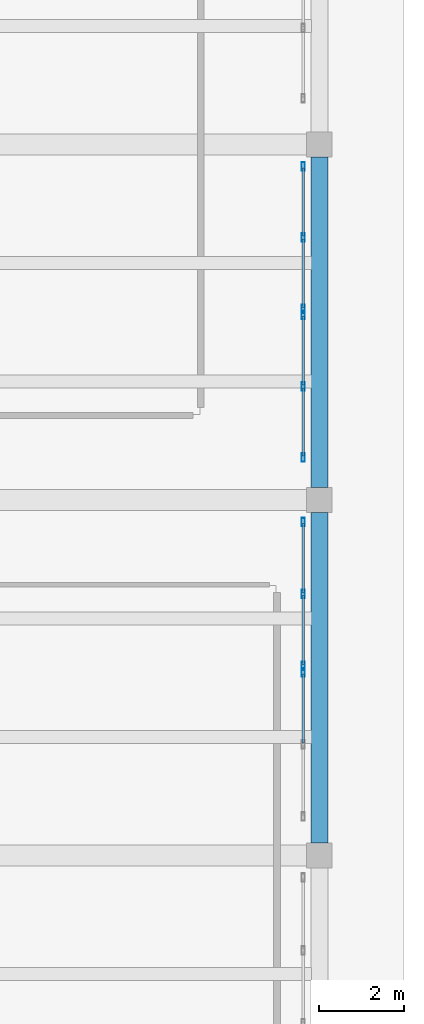
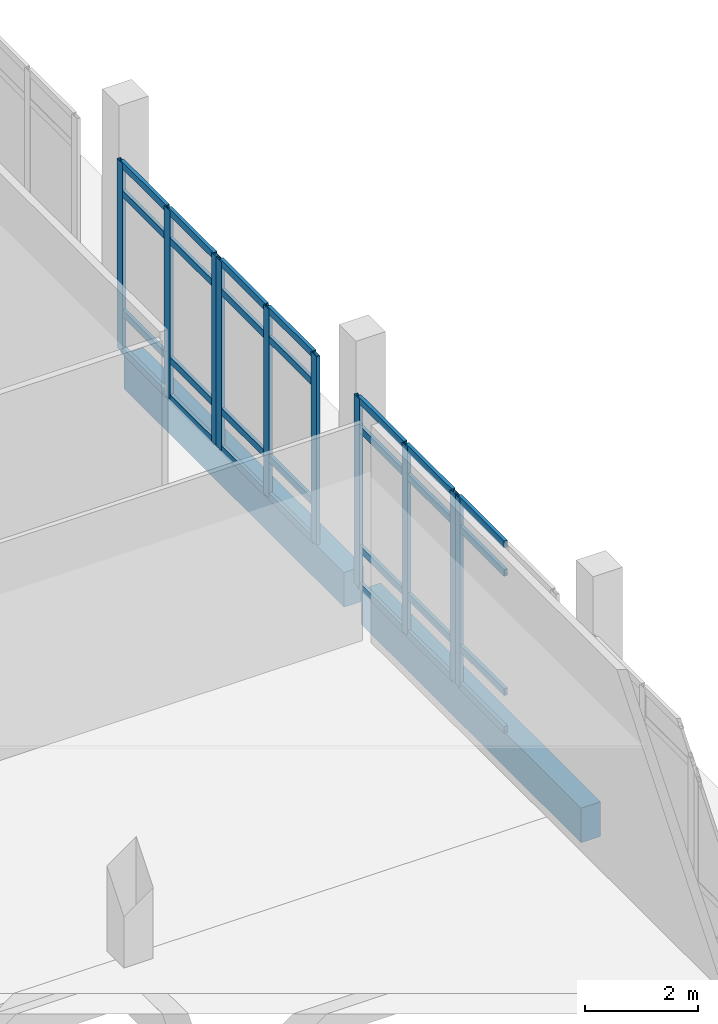
# One storey, part 27 of 64: 38 members, 2 beams, 4 elements without a shape of their own.
"""IFC4 building model written with IfcOpenShell, lengths in metres."""

import ifcopenshell
import ifcopenshell.guid

model = None  # the IFC model being written
_history = None  # IfcOwnerHistory: only IFC2X3 demands one
_inside = {}  # id of a spatial element -> (the spatial element, [elements in it])
_under = {}  # id of a project, library or spatial element -> (it, [spatial elements below it])
_declared = {}  # id of a project -> (the project, [libraries it declares])
_typed = {}  # id of a type object -> (the type object, [elements of that type])
_made_of = {}  # id of a material, layer set ... -> (it, [elements and type objects made of it])


def new_model(schema):
    """Start an empty IFC model of exactly this schema.

    Asked for "IFC4X3", IfcOpenShell would pick the latest addendum, in which some entities
    have other attributes; the version numbers below select the first issue.
    IFC2X3 requires an IfcOwnerHistory on every rooted entity: one is made here for all.
    """
    global model, _history
    if schema == "IFC4X3":
        model = ifcopenshell.file(schema_version=(4, 3, 0, 0))
    else:
        model = ifcopenshell.file(schema=schema)
    _inside.clear()
    _under.clear()
    _declared.clear()
    _typed.clear()
    _made_of.clear()
    _history = None
    if model.schema == "IFC2X3":
        org = make("IfcOrganization", Name="unknown")
        user = make(
            "IfcPersonAndOrganization",
            ThePerson=make("IfcPerson", FamilyName="unknown"),
            TheOrganization=org,
        )
        app = make(
            "IfcApplication",
            ApplicationDeveloper=org,
            Version="unknown",
            ApplicationFullName="unknown",
            ApplicationIdentifier="unknown",
        )
        _history = make(
            "IfcOwnerHistory",
            OwningUser=user,
            OwningApplication=app,
            ChangeAction="ADDED",
            CreationDate=0,
        )
    return model


def make(cls, **values):
    """One entity of the class cls with the attributes given. An attribute that is None is left unset."""
    return model.create_entity(
        cls, **{name: value for name, value in values.items() if value is not None}
    )


def rooted(cls, **values):
    """An entity with a GlobalId (a new one), such as an element, a storey or a relation."""
    return make(cls, GlobalId=ifcopenshell.guid.new(), OwnerHistory=_history, **values)


def si_unit(unit_type, name, prefix=None):
    """IfcSIUnit, for example si_unit("LENGTHUNIT", "METRE", prefix="MILLI")."""
    return make("IfcSIUnit", UnitType=unit_type, Prefix=prefix, Name=name)


def derived_unit(unit_type, elements):
    """IfcDerivedUnit: a product of units, each with its exponent."""
    return make(
        "IfcDerivedUnit",
        Elements=[
            make("IfcDerivedUnitElement", Unit=unit, Exponent=power)
            for unit, power in elements
        ],
        UnitType=unit_type,
    )


def assignment(units):
    """IfcUnitAssignment: the units of a project."""
    return None if units is None else make("IfcUnitAssignment", Units=units)


def point(xyz):
    """IfcCartesianPoint."""
    return None if xyz is None else make("IfcCartesianPoint", Coordinates=xyz)


def direction(xyz):
    """IfcDirection."""
    return None if xyz is None else make("IfcDirection", DirectionRatios=xyz)


def frame(location, z_axis=None, x_axis=None):
    """IfcAxis2Placement3D, a coordinate frame: its origin and axes. An axis left out is left unset."""
    return make(
        "IfcAxis2Placement3D",
        Location=point(location),
        Axis=direction(z_axis),
        RefDirection=direction(x_axis),
    )


def frame_2d(location, x_axis=None):
    """IfcAxis2Placement2D, a coordinate frame in the plane: its origin and x axis."""
    return make(
        "IfcAxis2Placement2D", Location=point(location), RefDirection=direction(x_axis)
    )


def origin():
    """The frame at (0, 0, 0) with its axes left unset."""
    return frame((0.0, 0.0, 0.0))


def origin_2d():
    """The frame at (0, 0) in the plane with its x axis left unset."""
    return frame_2d((0.0, 0.0))


def place(relative_to, where):
    """IfcLocalPlacement: puts the frame where relative to a parent placement (None: the world)."""
    return make(
        "IfcLocalPlacement", PlacementRelTo=relative_to, RelativePlacement=where
    )


def context(
    kind, dimensions, precision=None, world=None, true_north=None, identifier=None
):
    """IfcGeometricRepresentationContext, for example the 3D "Model" context."""
    return make(
        "IfcGeometricRepresentationContext",
        ContextIdentifier=identifier,
        ContextType=kind,
        CoordinateSpaceDimension=dimensions,
        Precision=precision,
        WorldCoordinateSystem=world,
        TrueNorth=true_north,
    )


def subcontext(parent, identifier, kind, view, scale=None):
    """IfcGeometricRepresentationSubContext, for example "Body" below "Model"."""
    return make(
        "IfcGeometricRepresentationSubContext",
        ContextIdentifier=identifier,
        ContextType=kind,
        ParentContext=parent,
        TargetScale=scale,
        TargetView=view,
    )


def project(units=None, contexts=None):
    """IfcProject with its units and contexts."""
    return rooted(
        "IfcProject",
        Name="project",
        RepresentationContexts=contexts,
        UnitsInContext=assignment(units),
    )


def spatial(cls, under=None, at=None, **own):
    """A site, building, storey or space (cls), placed at a placement, below another one or the project."""
    s = rooted(cls, ObjectPlacement=at, **own)
    if under is not None:
        _under.setdefault(under.id(), (under, []))[1].append(s)
    return s


def profile(cls, at=None, kind="AREA", **sizes):
    """A parametric profile (cls). Its sizes go by their IFC names, for example OverallWidth=200.0."""
    return make(cls, ProfileType=kind, Position=at, **sizes)


def rectangle(**sizes):
    """IfcRectangleProfileDef."""
    return profile("IfcRectangleProfileDef", **sizes)


def hollow_rectangle(**sizes):
    """IfcRectangleHollowProfileDef."""
    return profile("IfcRectangleHollowProfileDef", **sizes)


def extrude(swept, where, along, depth):
    """IfcExtrudedAreaSolid: the profile swept, set in the frame where, extruded along a direction by depth."""
    return make(
        "IfcExtrudedAreaSolid",
        SweptArea=swept,
        Position=where,
        ExtrudedDirection=direction(along),
        Depth=depth,
    )


def shape(context_of_items, identifier, shape_type, items):
    """IfcShapeRepresentation: the items that make up one representation, for example the "Body"."""
    return make(
        "IfcShapeRepresentation",
        ContextOfItems=context_of_items,
        RepresentationIdentifier=identifier,
        RepresentationType=shape_type,
        Items=items,
    )


def material(Name=None, Category=None):
    """IfcMaterial."""
    return make("IfcMaterial", Name=Name, Category=Category)


def layer(
    of_material, thickness, ventilated=None, Name=None, Category=None, Priority=None
):
    """IfcMaterialLayer: one layer of a wall or slab, of a material (None: an air gap)."""
    return make(
        "IfcMaterialLayer",
        Material=of_material,
        LayerThickness=thickness,
        IsVentilated=ventilated,
        Name=Name,
        Category=Category,
        Priority=Priority,
    )


def layer_set(layers, Name=None):
    """IfcMaterialLayerSet."""
    return make("IfcMaterialLayerSet", MaterialLayers=layers, LayerSetName=Name)


def material_profile(
    of_material, cross_section, Name=None, Category=None, Priority=None
):
    """IfcMaterialProfile: a cross section and its material."""
    return make(
        "IfcMaterialProfile",
        Name=Name,
        Material=of_material,
        Profile=cross_section,
        Priority=Priority,
        Category=Category,
    )


def profile_set(profiles, Name=None, composite=None):
    """IfcMaterialProfileSet."""
    return make(
        "IfcMaterialProfileSet",
        Name=Name,
        MaterialProfiles=profiles,
        CompositeProfile=composite,
    )


def made_of(thing, what):
    """Note that an element or type object is made of a material, layer set ...; save() writes the relation."""
    if what is not None:
        _made_of.setdefault(what.id(), (what, []))[1].append(thing)
    return thing


def type_object(cls, material=None, **own):
    """A type object (cls), such as IfcWallType, which elements share."""
    return made_of(rooted(cls, **own), material)


def element(
    cls,
    number,
    at=None,
    inside=None,
    cuts=None,
    type_object=None,
    material=None,
    context=None,
    identifier="Body",
    shape_type=None,
    held_by="IfcProductDefinitionShape",
    body=None,
    shapes=None,
    **own,
):
    """One element of the class cls, such as IfcWall. Its Tag is "e" and its number.

    at: its placement. inside: the storey or other place that contains it. cuts: it is an
    opening in that element (IfcRelVoidsElement). A single representation is given by context,
    identifier, shape_type and body (its items); several are given by shapes. held_by: the class
    of the entity that holds the representations. save() writes the other relations.
    """
    e = rooted(cls, Tag="e%d" % number, ObjectPlacement=at, **own)
    if body is not None:
        shapes = [shape(context, identifier, shape_type, body)]
    if shapes is not None:
        e.Representation = make(held_by, Representations=shapes)
    if inside is not None:
        _inside.setdefault(inside.id(), (inside, []))[1].append(e)
    if cuts is not None:
        rooted(
            "IfcRelVoidsElement", RelatingBuildingElement=cuts, RelatedOpeningElement=e
        )
    if type_object is not None:
        _typed.setdefault(type_object.id(), (type_object, []))[1].append(e)
    return made_of(e, material)


def aggregate(whole, parts):
    """IfcRelAggregates: a whole, such as a stair, and the parts it consists of."""
    return rooted("IfcRelAggregates", RelatingObject=whole, RelatedObjects=parts)


def save(model, path):
    """Write the relations noted so far, then the file.

    IfcRelAggregates (storeys below a building ...), IfcRelContainedInSpatialStructure (elements
    in a storey), IfcRelDefinesByType, IfcRelAssociatesMaterial and IfcRelDeclares: one each for
    every whole, place, type object, material and project.
    """
    for whole, parts in _under.values():
        aggregate(whole, parts)
    for where, things in _inside.values():
        rooted(
            "IfcRelContainedInSpatialStructure",
            RelatedElements=things,
            RelatingStructure=where,
        )
    for kind, things in _typed.values():
        rooted("IfcRelDefinesByType", RelatedObjects=things, RelatingType=kind)
    for what, things in _made_of.values():
        rooted("IfcRelAssociatesMaterial", RelatedObjects=things, RelatingMaterial=what)
    for by, libraries in _declared.values():
        rooted("IfcRelDeclares", RelatingContext=by, RelatedDefinitions=libraries)
    model.write(path)


model = new_model("IFC4")

# Units and contexts
model_context = context("Model", 3, precision=1e-05, world=origin(), true_north=direction((0.0, 1.0)))
body_context = subcontext(model_context, "Body", "Model", "MODEL_VIEW")
ifc_project = project(units=[si_unit("LENGTHUNIT", "METRE"), si_unit("AREAUNIT", "SQUARE_METRE"), si_unit("VOLUMEUNIT", "CUBIC_METRE"), si_unit("PLANEANGLEUNIT", "RADIAN"), si_unit("MASSUNIT", "GRAM", prefix="KILO"), derived_unit("THERMALTRANSMITTANCEUNIT", [(si_unit("POWERUNIT", "WATT"), 1), (si_unit("LENGTHUNIT", "METRE"), -2), (si_unit("THERMODYNAMICTEMPERATUREUNIT", "KELVIN"), -1)])], contexts=[model_context])

# Site, building, storey
site_placement = place(None, origin())
site = spatial("IfcSite", under=ifc_project, at=site_placement, CompositionType="ELEMENT")
building_placement = place(site_placement, origin())
building = spatial("IfcBuilding", under=site, at=building_placement, Name="Elbkamm Science Centre", CompositionType="ELEMENT")
storey_placement = place(building_placement, origin())
storey = spatial("IfcBuildingStorey", under=building, at=storey_placement, Name="L00", CompositionType="ELEMENT", Elevation=0.0)

# Beams
ifc_material_1 = material(Name="Concrete C40/50", Category="concrete")
ifc_material_profile_1 = material_profile(ifc_material_1, rectangle(XDim=0.39990234375, YDim=0.75, at=origin_2d()), Name="RC 400x750")
ifc_profile_set_1 = profile_set([ifc_material_profile_1], Name="Concrete C40/50")
beam_type = type_object("IfcBeamType", Name="BM-RC-400x750", PredefinedType="BEAM", material=ifc_profile_set_1)
for number, where, z_axis, x_axis, name in (
    (1, (160.800048828125, 75.89990234375, -0.675048828125), (0.0, 1.0, 0.0), (-1.0, 0.0, 0.0), "L00 Primary Y-Girder 084"),
    (2, (160.800048828125, 84.300048828125, -0.675048828125), (0.0, 1.0, 0.0), (-1.0, 0.0, 0.0), "L00 Primary Y-Girder 085"),
):
    element("IfcBeam", number, at=place(storey_placement, frame(where, z_axis=z_axis, x_axis=x_axis)), inside=storey, type_object=beam_type, Name=name, PredefinedType="BEAM", context=body_context, shape_type="SweptSolid", body=[
        extrude(rectangle(XDim=0.39990234375, YDim=0.75, at=origin_2d()), origin(), (0.0, 0.0, 1.0), 7.800048828125),
    ])

# Curtain wall, members
ifc_material_2 = material(Name="Powder-coated aluminium and triple low-E glazing", Category="aluminium")
ifc_layer_1 = layer(ifc_material_2, 0.159912109375)
ifc_layer_set_1 = layer_set([ifc_layer_1], Name="Powder-coated aluminium and triple low-E glazing")
curtain_wall_type_1 = type_object("IfcCurtainWallType", Name="CW-UNIT-3440x4080", PredefinedType="USERDEFINED", material=ifc_layer_set_1)
curtain_wall_1_placement = place(storey_placement, origin())
curtain_wall_1 = element("IfcCurtainWall", 3, at=curtain_wall_1_placement, inside=storey, type_object=curtain_wall_type_1, Name="L00 Unitised Curtain Wall 118", ObjectType="UNITISED CURTAIN WALL", PredefinedType="USERDEFINED")
ifc_material_3 = material(Name="Powder-coated aluminium EN AW-6060", Category="aluminium")
ifc_material_profile_2 = material_profile(ifc_material_3, hollow_rectangle(XDim=0.070068359375, YDim=0.199951171875, WallThickness=0.00439453125, at=origin_2d()), Name="ALU M70x200")
ifc_profile_set_2 = profile_set([ifc_material_profile_2], Name="Powder-coated aluminium EN AW-6060")
member_type_1 = type_object("IfcMemberType", Name="CW-MUL-70x200", PredefinedType="MULLION", material=ifc_profile_set_2)
member_1_placement = place(storey_placement, frame((160.419921875, 91.878662109375, 0.0), z_axis=(0.0, 0.0, 1.0), x_axis=(1.0, 0.0, 0.0)))
member_1 = element("IfcMember", 4, at=member_1_placement, type_object=member_type_1, Name="CW-059 mullion 1", PredefinedType="MULLION", context=body_context, shape_type="SweptSolid", body=[
    extrude(hollow_rectangle(XDim=0.070068359375, YDim=0.199951171875, WallThickness=0.00439453125, at=origin_2d()), origin(), (0.0, 0.0, 1.0), 4.080078125),
])
member_2_placement = place(storey_placement, frame((160.419921875, 90.197265625, 0.0), z_axis=(0.0, 0.0, 1.0), x_axis=(1.0, 0.0, 0.0)))
member_2 = element("IfcMember", 5, at=member_2_placement, type_object=member_type_1, Name="CW-059 mullion 2", PredefinedType="MULLION", context=body_context, shape_type="SweptSolid", body=[
    extrude(hollow_rectangle(XDim=0.070068359375, YDim=0.199951171875, WallThickness=0.00439453125, at=origin_2d()), origin(), (0.0, 0.0, 1.0), 4.080078125),
])
member_3_placement = place(storey_placement, frame((160.419921875, 88.515869140625, 0.0), z_axis=(0.0, 0.0, 1.0), x_axis=(1.0, 0.0, 0.0)))
member_3 = element("IfcMember", 6, at=member_3_placement, type_object=member_type_1, Name="CW-059 mullion 3", PredefinedType="MULLION", context=body_context, shape_type="SweptSolid", body=[
    extrude(hollow_rectangle(XDim=0.070068359375, YDim=0.199951171875, WallThickness=0.00439453125, at=origin_2d()), origin(), (0.0, 0.0, 1.0), 4.080078125),
])

curtain_wall_2_placement = place(storey_placement, origin())
curtain_wall_2 = element("IfcCurtainWall", 7, at=curtain_wall_2_placement, inside=storey, type_object=curtain_wall_type_1, Name="L00 Unitised Curtain Wall 119", ObjectType="UNITISED CURTAIN WALL", PredefinedType="USERDEFINED")
member_4_placement = place(storey_placement, frame((160.419921875, 88.365966796875, 0.0), z_axis=(0.0, 0.0, 1.0), x_axis=(1.0, 0.0, 0.0)))
member_4 = element("IfcMember", 8, at=member_4_placement, type_object=member_type_1, Name="CW-059 mullion 1", PredefinedType="MULLION", context=body_context, shape_type="SweptSolid", body=[
    extrude(hollow_rectangle(XDim=0.070068359375, YDim=0.199951171875, WallThickness=0.00439453125, at=origin_2d()), origin(), (0.0, 0.0, 1.0), 4.080078125),
])
member_5_placement = place(storey_placement, frame((160.419921875, 86.6845703125, 0.0), z_axis=(0.0, 0.0, 1.0), x_axis=(1.0, 0.0, 0.0)))
member_5 = element("IfcMember", 9, at=member_5_placement, type_object=member_type_1, Name="CW-059 mullion 2", PredefinedType="MULLION", context=body_context, shape_type="SweptSolid", body=[
    extrude(hollow_rectangle(XDim=0.070068359375, YDim=0.199951171875, WallThickness=0.00439453125, at=origin_2d()), origin(), (0.0, 0.0, 1.0), 4.080078125),
])
member_6_placement = place(storey_placement, frame((160.419921875, 85.0029296875, 0.0), z_axis=(0.0, 0.0, 1.0), x_axis=(1.0, 0.0, 0.0)))
member_6 = element("IfcMember", 10, at=member_6_placement, type_object=member_type_1, Name="CW-059 mullion 3", PredefinedType="MULLION", context=body_context, shape_type="SweptSolid", body=[
    extrude(hollow_rectangle(XDim=0.070068359375, YDim=0.199951171875, WallThickness=0.00439453125, at=origin_2d()), origin(), (0.0, 0.0, 1.0), 4.080078125),
])

ifc_layer_2 = layer(ifc_material_2, 0.159912109375)
ifc_layer_set_2 = layer_set([ifc_layer_2], Name="Powder-coated aluminium and triple low-E glazing")
curtain_wall_type_2 = type_object("IfcCurtainWallType", Name="CW-UNIT-3480x4080", PredefinedType="USERDEFINED", material=ifc_layer_set_2)
curtain_wall_3_placement = place(storey_placement, origin())
curtain_wall_3 = element("IfcCurtainWall", 11, at=curtain_wall_3_placement, inside=storey, type_object=curtain_wall_type_2, Name="L00 Unitised Curtain Wall 120", ObjectType="UNITISED CURTAIN WALL", PredefinedType="USERDEFINED")
member_7_placement = place(storey_placement, frame((160.419921875, 83.478759765625, 0.0), z_axis=(0.0, 0.0, 1.0), x_axis=(1.0, 0.0, 0.0)))
member_7 = element("IfcMember", 12, at=member_7_placement, type_object=member_type_1, Name="CW-060 mullion 1", PredefinedType="MULLION", context=body_context, shape_type="SweptSolid", body=[
    extrude(hollow_rectangle(XDim=0.070068359375, YDim=0.199951171875, WallThickness=0.00439453125, at=origin_2d()), origin(), (0.0, 0.0, 1.0), 4.080078125),
])
member_8_placement = place(storey_placement, frame((160.419921875, 81.7763671875, 0.0), z_axis=(0.0, 0.0, 1.0), x_axis=(1.0, 0.0, 0.0)))
member_8 = element("IfcMember", 13, at=member_8_placement, type_object=member_type_1, Name="CW-060 mullion 2", PredefinedType="MULLION", context=body_context, shape_type="SweptSolid", body=[
    extrude(hollow_rectangle(XDim=0.070068359375, YDim=0.199951171875, WallThickness=0.00439453125, at=origin_2d()), origin(), (0.0, 0.0, 1.0), 4.080078125),
])
member_9_placement = place(storey_placement, frame((160.419921875, 80.073974609375, 0.0), z_axis=(0.0, 0.0, 1.0), x_axis=(1.0, 0.0, 0.0)))
member_9 = element("IfcMember", 14, at=member_9_placement, type_object=member_type_1, Name="CW-060 mullion 3", PredefinedType="MULLION", context=body_context, shape_type="SweptSolid", body=[
    extrude(hollow_rectangle(XDim=0.070068359375, YDim=0.199951171875, WallThickness=0.00439453125, at=origin_2d()), origin(), (0.0, 0.0, 1.0), 4.080078125),
])

# Curtain wall, member
curtain_wall_4_placement = place(storey_placement, origin())
curtain_wall_4 = element("IfcCurtainWall", 15, at=curtain_wall_4_placement, inside=storey, type_object=curtain_wall_type_2, Name="L00 Unitised Curtain Wall 121", ObjectType="UNITISED CURTAIN WALL", PredefinedType="USERDEFINED")
member_10_placement = place(storey_placement, frame((160.419921875, 79.923828125, 0.0), z_axis=(0.0, 0.0, 1.0), x_axis=(1.0, 0.0, 0.0)))
member_10 = element("IfcMember", 16, at=member_10_placement, type_object=member_type_1, Name="CW-060 mullion 1", PredefinedType="MULLION", context=body_context, shape_type="SweptSolid", body=[
    extrude(hollow_rectangle(XDim=0.070068359375, YDim=0.199951171875, WallThickness=0.00439453125, at=origin_2d()), origin(), (0.0, 0.0, 1.0), 4.080078125),
])

# Member
ifc_material_profile_3 = material_profile(ifc_material_3, hollow_rectangle(XDim=0.070068359375, YDim=0.14990234375, WallThickness=0.00390625, at=origin_2d()), Name="ALU T70x150")
ifc_profile_set_3 = profile_set([ifc_material_profile_3], Name="Powder-coated aluminium EN AW-6060")
member_type_2 = type_object("IfcMemberType", Name="CW-TRN-70x150", PredefinedType="USERDEFINED", material=ifc_profile_set_3)
member_11_placement = place(storey_placement, frame((160.419921875, 91.84375, 0.034912109375), z_axis=(0.0, -1.0, 0.0), x_axis=(1.0, 0.0, 0.0)))
member_11 = element("IfcMember", 17, at=member_11_placement, type_object=member_type_2, Name="CW-059 transom 1.1", ObjectType="TRANSOM", PredefinedType="USERDEFINED", context=body_context, shape_type="SweptSolid", body=[
    extrude(hollow_rectangle(XDim=0.070068359375, YDim=0.14990234375, WallThickness=0.00390625, at=origin_2d()), origin(), (0.0, 0.0, 1.0), 1.611328125),
])

member_12_placement = place(storey_placement, frame((160.419921875, 91.84375, 0.85009765625), z_axis=(0.0, -1.0, 0.0), x_axis=(1.0, 0.0, 0.0)))
member_12 = element("IfcMember", 18, at=member_12_placement, type_object=member_type_2, Name="CW-059 transom 1.2", ObjectType="TRANSOM", PredefinedType="USERDEFINED", context=body_context, shape_type="SweptSolid", body=[
    extrude(hollow_rectangle(XDim=0.070068359375, YDim=0.14990234375, WallThickness=0.00390625, at=origin_2d()), origin(), (0.0, 0.0, 1.0), 1.611328125),
])

member_13_placement = place(storey_placement, frame((160.419921875, 91.84375, 3.429931640625), z_axis=(0.0, -1.0, 0.0), x_axis=(1.0, 0.0, 0.0)))
member_13 = element("IfcMember", 19, at=member_13_placement, type_object=member_type_2, Name="CW-059 transom 1.3", ObjectType="TRANSOM", PredefinedType="USERDEFINED", context=body_context, shape_type="SweptSolid", body=[
    extrude(hollow_rectangle(XDim=0.070068359375, YDim=0.14990234375, WallThickness=0.00390625, at=origin_2d()), origin(), (0.0, 0.0, 1.0), 1.611328125),
])

member_14_placement = place(storey_placement, frame((160.419921875, 91.84375, 4.044921875), z_axis=(0.0, -1.0, 0.0), x_axis=(1.0, 0.0, 0.0)))
member_14 = element("IfcMember", 20, at=member_14_placement, type_object=member_type_2, Name="CW-059 transom 1.4", ObjectType="TRANSOM", PredefinedType="USERDEFINED", context=body_context, shape_type="SweptSolid", body=[
    extrude(hollow_rectangle(XDim=0.070068359375, YDim=0.14990234375, WallThickness=0.00390625, at=origin_2d()), origin(), (0.0, 0.0, 1.0), 1.611328125),
])

member_15_placement = place(storey_placement, frame((160.419921875, 90.162353515625, 0.034912109375), z_axis=(0.0, -1.0, 0.0), x_axis=(1.0, 0.0, 0.0)))
member_15 = element("IfcMember", 21, at=member_15_placement, type_object=member_type_2, Name="CW-059 transom 2.1", ObjectType="TRANSOM", PredefinedType="USERDEFINED", context=body_context, shape_type="SweptSolid", body=[
    extrude(hollow_rectangle(XDim=0.070068359375, YDim=0.14990234375, WallThickness=0.00390625, at=origin_2d()), origin(), (0.0, 0.0, 1.0), 1.611572265625),
])

member_16_placement = place(storey_placement, frame((160.419921875, 90.162353515625, 0.85009765625), z_axis=(0.0, -1.0, 0.0), x_axis=(1.0, 0.0, 0.0)))
member_16 = element("IfcMember", 22, at=member_16_placement, type_object=member_type_2, Name="CW-059 transom 2.2", ObjectType="TRANSOM", PredefinedType="USERDEFINED", context=body_context, shape_type="SweptSolid", body=[
    extrude(hollow_rectangle(XDim=0.070068359375, YDim=0.14990234375, WallThickness=0.00390625, at=origin_2d()), origin(), (0.0, 0.0, 1.0), 1.611572265625),
])

member_17_placement = place(storey_placement, frame((160.419921875, 90.162353515625, 3.429931640625), z_axis=(0.0, -1.0, 0.0), x_axis=(1.0, 0.0, 0.0)))
member_17 = element("IfcMember", 23, at=member_17_placement, type_object=member_type_2, Name="CW-059 transom 2.3", ObjectType="TRANSOM", PredefinedType="USERDEFINED", context=body_context, shape_type="SweptSolid", body=[
    extrude(hollow_rectangle(XDim=0.070068359375, YDim=0.14990234375, WallThickness=0.00390625, at=origin_2d()), origin(), (0.0, 0.0, 1.0), 1.611572265625),
])

member_18_placement = place(storey_placement, frame((160.419921875, 90.162353515625, 4.044921875), z_axis=(0.0, -1.0, 0.0), x_axis=(1.0, 0.0, 0.0)))
member_18 = element("IfcMember", 24, at=member_18_placement, type_object=member_type_2, Name="CW-059 transom 2.4", ObjectType="TRANSOM", PredefinedType="USERDEFINED", context=body_context, shape_type="SweptSolid", body=[
    extrude(hollow_rectangle(XDim=0.070068359375, YDim=0.14990234375, WallThickness=0.00390625, at=origin_2d()), origin(), (0.0, 0.0, 1.0), 1.611572265625),
])

aggregate(curtain_wall_1, [member_1, member_2, member_3, member_11, member_12, member_13, member_14, member_15, member_16, member_17, member_18])

member_19_placement = place(storey_placement, frame((160.419921875, 88.330810546875, 0.034912109375), z_axis=(0.0, -1.0, 0.0), x_axis=(1.0, 0.0, 0.0)))
member_19 = element("IfcMember", 25, at=member_19_placement, type_object=member_type_2, Name="CW-059 transom 1.1", ObjectType="TRANSOM", PredefinedType="USERDEFINED", context=body_context, shape_type="SweptSolid", body=[
    extrude(hollow_rectangle(XDim=0.070068359375, YDim=0.14990234375, WallThickness=0.00390625, at=origin_2d()), origin(), (0.0, 0.0, 1.0), 1.611328125),
])

member_20_placement = place(storey_placement, frame((160.419921875, 88.330810546875, 0.85009765625), z_axis=(0.0, -1.0, 0.0), x_axis=(1.0, 0.0, 0.0)))
member_20 = element("IfcMember", 26, at=member_20_placement, type_object=member_type_2, Name="CW-059 transom 1.2", ObjectType="TRANSOM", PredefinedType="USERDEFINED", context=body_context, shape_type="SweptSolid", body=[
    extrude(hollow_rectangle(XDim=0.070068359375, YDim=0.14990234375, WallThickness=0.00390625, at=origin_2d()), origin(), (0.0, 0.0, 1.0), 1.611328125),
])

member_21_placement = place(storey_placement, frame((160.419921875, 88.330810546875, 3.429931640625), z_axis=(0.0, -1.0, 0.0), x_axis=(1.0, 0.0, 0.0)))
member_21 = element("IfcMember", 27, at=member_21_placement, type_object=member_type_2, Name="CW-059 transom 1.3", ObjectType="TRANSOM", PredefinedType="USERDEFINED", context=body_context, shape_type="SweptSolid", body=[
    extrude(hollow_rectangle(XDim=0.070068359375, YDim=0.14990234375, WallThickness=0.00390625, at=origin_2d()), origin(), (0.0, 0.0, 1.0), 1.611328125),
])

member_22_placement = place(storey_placement, frame((160.419921875, 88.330810546875, 4.044921875), z_axis=(0.0, -1.0, 0.0), x_axis=(1.0, 0.0, 0.0)))
member_22 = element("IfcMember", 28, at=member_22_placement, type_object=member_type_2, Name="CW-059 transom 1.4", ObjectType="TRANSOM", PredefinedType="USERDEFINED", context=body_context, shape_type="SweptSolid", body=[
    extrude(hollow_rectangle(XDim=0.070068359375, YDim=0.14990234375, WallThickness=0.00390625, at=origin_2d()), origin(), (0.0, 0.0, 1.0), 1.611328125),
])

member_23_placement = place(storey_placement, frame((160.419921875, 86.6494140625, 0.034912109375), z_axis=(0.0, -1.0, 0.0), x_axis=(1.0, 0.0, 0.0)))
member_23 = element("IfcMember", 29, at=member_23_placement, type_object=member_type_2, Name="CW-059 transom 2.1", ObjectType="TRANSOM", PredefinedType="USERDEFINED", context=body_context, shape_type="SweptSolid", body=[
    extrude(hollow_rectangle(XDim=0.070068359375, YDim=0.14990234375, WallThickness=0.00390625, at=origin_2d()), origin(), (0.0, 0.0, 1.0), 1.611328125),
])

member_24_placement = place(storey_placement, frame((160.419921875, 86.6494140625, 0.85009765625), z_axis=(0.0, -1.0, 0.0), x_axis=(1.0, 0.0, 0.0)))
member_24 = element("IfcMember", 30, at=member_24_placement, type_object=member_type_2, Name="CW-059 transom 2.2", ObjectType="TRANSOM", PredefinedType="USERDEFINED", context=body_context, shape_type="SweptSolid", body=[
    extrude(hollow_rectangle(XDim=0.070068359375, YDim=0.14990234375, WallThickness=0.00390625, at=origin_2d()), origin(), (0.0, 0.0, 1.0), 1.611328125),
])

member_25_placement = place(storey_placement, frame((160.419921875, 86.6494140625, 3.429931640625), z_axis=(0.0, -1.0, 0.0), x_axis=(1.0, 0.0, 0.0)))
member_25 = element("IfcMember", 31, at=member_25_placement, type_object=member_type_2, Name="CW-059 transom 2.3", ObjectType="TRANSOM", PredefinedType="USERDEFINED", context=body_context, shape_type="SweptSolid", body=[
    extrude(hollow_rectangle(XDim=0.070068359375, YDim=0.14990234375, WallThickness=0.00390625, at=origin_2d()), origin(), (0.0, 0.0, 1.0), 1.611328125),
])

member_26_placement = place(storey_placement, frame((160.419921875, 86.6494140625, 4.044921875), z_axis=(0.0, -1.0, 0.0), x_axis=(1.0, 0.0, 0.0)))
member_26 = element("IfcMember", 32, at=member_26_placement, type_object=member_type_2, Name="CW-059 transom 2.4", ObjectType="TRANSOM", PredefinedType="USERDEFINED", context=body_context, shape_type="SweptSolid", body=[
    extrude(hollow_rectangle(XDim=0.070068359375, YDim=0.14990234375, WallThickness=0.00390625, at=origin_2d()), origin(), (0.0, 0.0, 1.0), 1.611328125),
])

aggregate(curtain_wall_2, [member_4, member_5, member_6, member_19, member_20, member_21, member_22, member_23, member_24, member_25, member_26])

member_27_placement = place(storey_placement, frame((160.419921875, 83.443603515625, 0.034912109375), z_axis=(0.0, -1.0, 0.0), x_axis=(1.0, 0.0, 0.0)))
member_27 = element("IfcMember", 33, at=member_27_placement, type_object=member_type_2, Name="CW-060 transom 1.1", ObjectType="TRANSOM", PredefinedType="USERDEFINED", context=body_context, shape_type="SweptSolid", body=[
    extrude(hollow_rectangle(XDim=0.070068359375, YDim=0.14990234375, WallThickness=0.00390625, at=origin_2d()), origin(), (0.0, 0.0, 1.0), 1.63232421875),
])

member_28_placement = place(storey_placement, frame((160.419921875, 83.443603515625, 0.85009765625), z_axis=(0.0, -1.0, 0.0), x_axis=(1.0, 0.0, 0.0)))
member_28 = element("IfcMember", 34, at=member_28_placement, type_object=member_type_2, Name="CW-060 transom 1.2", ObjectType="TRANSOM", PredefinedType="USERDEFINED", context=body_context, shape_type="SweptSolid", body=[
    extrude(hollow_rectangle(XDim=0.070068359375, YDim=0.14990234375, WallThickness=0.00390625, at=origin_2d()), origin(), (0.0, 0.0, 1.0), 1.63232421875),
])

member_29_placement = place(storey_placement, frame((160.419921875, 83.443603515625, 3.429931640625), z_axis=(0.0, -1.0, 0.0), x_axis=(1.0, 0.0, 0.0)))
member_29 = element("IfcMember", 35, at=member_29_placement, type_object=member_type_2, Name="CW-060 transom 1.3", ObjectType="TRANSOM", PredefinedType="USERDEFINED", context=body_context, shape_type="SweptSolid", body=[
    extrude(hollow_rectangle(XDim=0.070068359375, YDim=0.14990234375, WallThickness=0.00390625, at=origin_2d()), origin(), (0.0, 0.0, 1.0), 1.63232421875),
])

member_30_placement = place(storey_placement, frame((160.419921875, 83.443603515625, 4.044921875), z_axis=(0.0, -1.0, 0.0), x_axis=(1.0, 0.0, 0.0)))
member_30 = element("IfcMember", 36, at=member_30_placement, type_object=member_type_2, Name="CW-060 transom 1.4", ObjectType="TRANSOM", PredefinedType="USERDEFINED", context=body_context, shape_type="SweptSolid", body=[
    extrude(hollow_rectangle(XDim=0.070068359375, YDim=0.14990234375, WallThickness=0.00390625, at=origin_2d()), origin(), (0.0, 0.0, 1.0), 1.63232421875),
])

member_31_placement = place(storey_placement, frame((160.419921875, 81.7412109375, 0.034912109375), z_axis=(0.0, -1.0, 0.0), x_axis=(1.0, 0.0, 0.0)))
member_31 = element("IfcMember", 37, at=member_31_placement, type_object=member_type_2, Name="CW-060 transom 2.1", ObjectType="TRANSOM", PredefinedType="USERDEFINED", context=body_context, shape_type="SweptSolid", body=[
    extrude(hollow_rectangle(XDim=0.070068359375, YDim=0.14990234375, WallThickness=0.00390625, at=origin_2d()), origin(), (0.0, 0.0, 1.0), 1.63232421875),
])

member_32_placement = place(storey_placement, frame((160.419921875, 81.7412109375, 0.85009765625), z_axis=(0.0, -1.0, 0.0), x_axis=(1.0, 0.0, 0.0)))
member_32 = element("IfcMember", 38, at=member_32_placement, type_object=member_type_2, Name="CW-060 transom 2.2", ObjectType="TRANSOM", PredefinedType="USERDEFINED", context=body_context, shape_type="SweptSolid", body=[
    extrude(hollow_rectangle(XDim=0.070068359375, YDim=0.14990234375, WallThickness=0.00390625, at=origin_2d()), origin(), (0.0, 0.0, 1.0), 1.63232421875),
])

member_33_placement = place(storey_placement, frame((160.419921875, 81.7412109375, 3.429931640625), z_axis=(0.0, -1.0, 0.0), x_axis=(1.0, 0.0, 0.0)))
member_33 = element("IfcMember", 39, at=member_33_placement, type_object=member_type_2, Name="CW-060 transom 2.3", ObjectType="TRANSOM", PredefinedType="USERDEFINED", context=body_context, shape_type="SweptSolid", body=[
    extrude(hollow_rectangle(XDim=0.070068359375, YDim=0.14990234375, WallThickness=0.00390625, at=origin_2d()), origin(), (0.0, 0.0, 1.0), 1.63232421875),
])

member_34_placement = place(storey_placement, frame((160.419921875, 81.7412109375, 4.044921875), z_axis=(0.0, -1.0, 0.0), x_axis=(1.0, 0.0, 0.0)))
member_34 = element("IfcMember", 40, at=member_34_placement, type_object=member_type_2, Name="CW-060 transom 2.4", ObjectType="TRANSOM", PredefinedType="USERDEFINED", context=body_context, shape_type="SweptSolid", body=[
    extrude(hollow_rectangle(XDim=0.070068359375, YDim=0.14990234375, WallThickness=0.00390625, at=origin_2d()), origin(), (0.0, 0.0, 1.0), 1.63232421875),
])

aggregate(curtain_wall_3, [member_7, member_8, member_9, member_27, member_28, member_29, member_30, member_31, member_32, member_33, member_34])

member_35_placement = place(storey_placement, frame((160.419921875, 79.888916015625, 0.034912109375), z_axis=(0.0, -1.0, 0.0), x_axis=(1.0, 0.0, 0.0)))
member_35 = element("IfcMember", 41, at=member_35_placement, type_object=member_type_2, Name="CW-060 transom 1.1", ObjectType="TRANSOM", PredefinedType="USERDEFINED", context=body_context, shape_type="SweptSolid", body=[
    extrude(hollow_rectangle(XDim=0.070068359375, YDim=0.14990234375, WallThickness=0.00390625, at=origin_2d()), origin(), (0.0, 0.0, 1.0), 1.632568359375),
])

member_36_placement = place(storey_placement, frame((160.419921875, 79.888916015625, 0.85009765625), z_axis=(0.0, -1.0, 0.0), x_axis=(1.0, 0.0, 0.0)))
member_36 = element("IfcMember", 42, at=member_36_placement, type_object=member_type_2, Name="CW-060 transom 1.2", ObjectType="TRANSOM", PredefinedType="USERDEFINED", context=body_context, shape_type="SweptSolid", body=[
    extrude(hollow_rectangle(XDim=0.070068359375, YDim=0.14990234375, WallThickness=0.00390625, at=origin_2d()), origin(), (0.0, 0.0, 1.0), 1.632568359375),
])

member_37_placement = place(storey_placement, frame((160.419921875, 79.888916015625, 3.429931640625), z_axis=(0.0, -1.0, 0.0), x_axis=(1.0, 0.0, 0.0)))
member_37 = element("IfcMember", 43, at=member_37_placement, type_object=member_type_2, Name="CW-060 transom 1.3", ObjectType="TRANSOM", PredefinedType="USERDEFINED", context=body_context, shape_type="SweptSolid", body=[
    extrude(hollow_rectangle(XDim=0.070068359375, YDim=0.14990234375, WallThickness=0.00390625, at=origin_2d()), origin(), (0.0, 0.0, 1.0), 1.632568359375),
])

member_38_placement = place(storey_placement, frame((160.419921875, 79.888916015625, 4.044921875), z_axis=(0.0, -1.0, 0.0), x_axis=(1.0, 0.0, 0.0)))
member_38 = element("IfcMember", 44, at=member_38_placement, type_object=member_type_2, Name="CW-060 transom 1.4", ObjectType="TRANSOM", PredefinedType="USERDEFINED", context=body_context, shape_type="SweptSolid", body=[
    extrude(hollow_rectangle(XDim=0.070068359375, YDim=0.14990234375, WallThickness=0.00390625, at=origin_2d()), origin(), (0.0, 0.0, 1.0), 1.632568359375),
])

aggregate(curtain_wall_4, [member_10, member_35, member_36, member_37, member_38])

save(model, "model.ifc")
